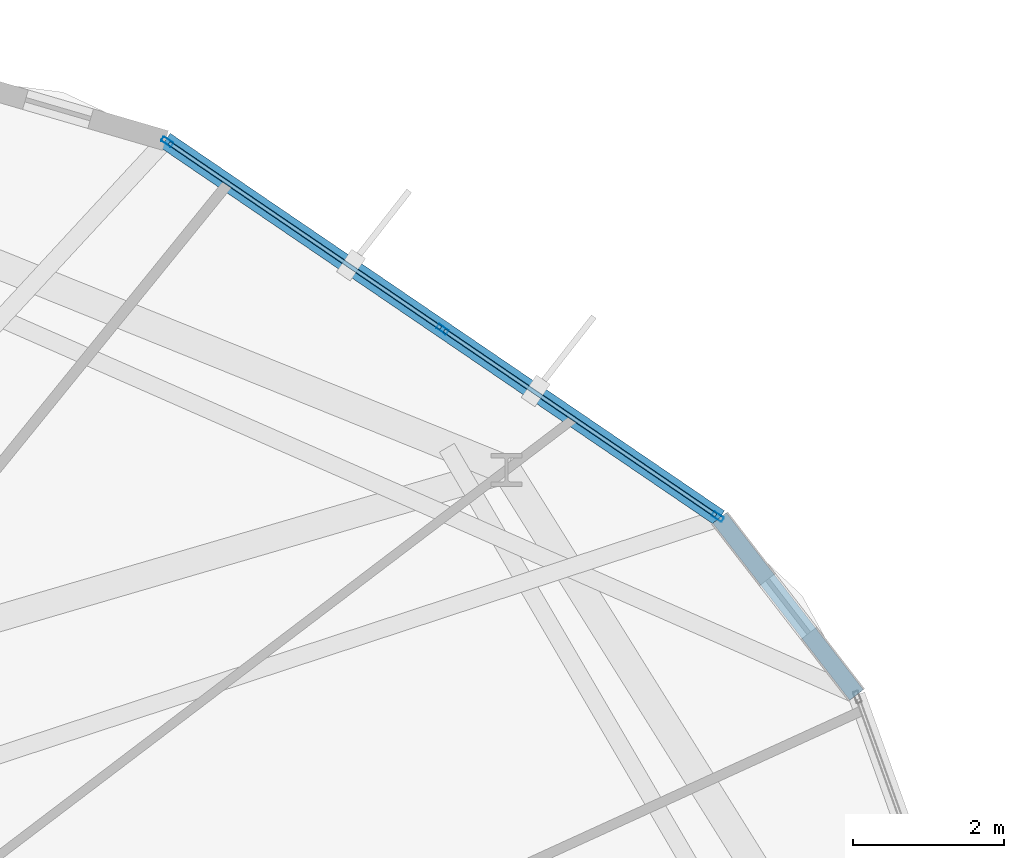
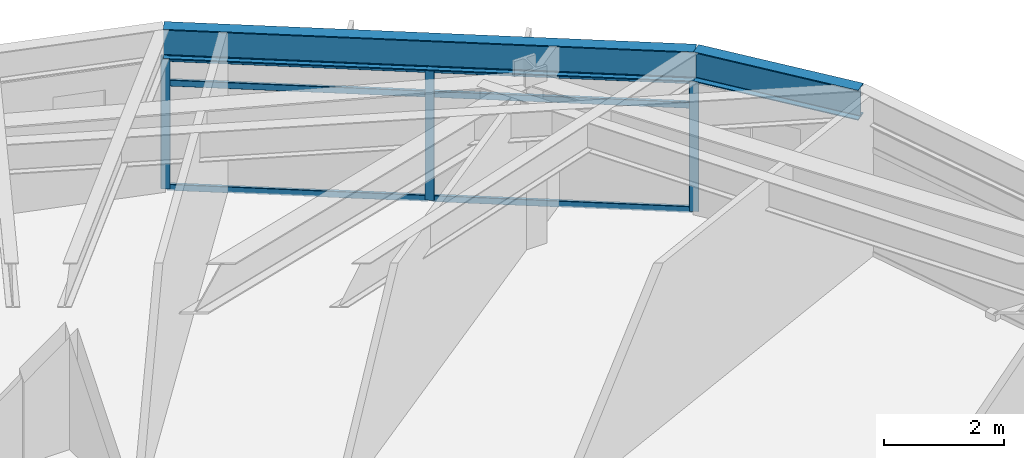
# One storey, part 16 of 23: 9 members, 2 beams, 1 element without a shape of its own.
"""IFC4 building model written with IfcOpenShell, lengths in metres."""

from ifc_helpers import new_model, si_unit, direction, frame, origin, origin_2d, place, context, subcontext, project, spatial, hollow_rectangle, i_section, extrude, material, layer, layer_set, material_profile, profile_set, type_object, element, aggregate, save


model = new_model("IFC4")

# Units and contexts
model_context = context("Model", 3, precision=1e-05, world=origin(), true_north=direction((0.0, 1.0)))
body_context = subcontext(model_context, "Body", "Model", "MODEL_VIEW")
ifc_project = project(units=[si_unit("LENGTHUNIT", "METRE"), si_unit("AREAUNIT", "SQUARE_METRE"), si_unit("VOLUMEUNIT", "CUBIC_METRE"), si_unit("PLANEANGLEUNIT", "RADIAN"), si_unit("MASSUNIT", "GRAM", prefix="KILO")], contexts=[model_context])

# Site, building, storey
site_placement = place(None, origin())
site = spatial("IfcSite", under=ifc_project, at=site_placement, CompositionType="ELEMENT")
building_placement = place(site_placement, origin())
building = spatial("IfcBuilding", under=site, at=building_placement, Name="Soratama Intermodal Tower", CompositionType="ELEMENT")
storey_placement = place(building_placement, frame((0.0, 0.0, 171.39990234375)))
storey = spatial("IfcBuildingStorey", under=building, at=storey_placement, Name="L42", CompositionType="ELEMENT", Elevation=171.39990234375)

# Beams
ifc_material_1 = material(Name="Structural steel ASTM A992 Grade 50", Category="steel")
ifc_material_profile_1 = material_profile(ifc_material_1, i_section(OverallWidth=0.22900390625, OverallDepth=0.612060546875, WebThickness=0.011962890625, FlangeThickness=0.01953125, FilletRadius=0.012939453125, at=origin_2d()), Name="W24X84")
ifc_profile_set_1 = profile_set([ifc_material_profile_1], Name="Structural steel ASTM A992 Grade 50")
beam_type = type_object("IfcBeamType", Name="BM-SPN-W24X84", PredefinedType="SPANDREL", material=ifc_profile_set_1)
beam_1_placement = place(storey_placement, frame((59.072998046875, 37.76806640625, 2.994140625), z_axis=(-0.826489378595, 0.562952313318, 0.0), x_axis=(-0.562952313318, -0.826489378595, 0.0)))
element("IfcBeam", 1, at=beam_1_placement, inside=storey, type_object=beam_type, Name="BS-L42-F01", PredefinedType="SPANDREL", context=body_context, shape_type="SweptSolid", body=[
    extrude(i_section(OverallWidth=0.22900390625, OverallDepth=0.612060546875, WebThickness=0.011962890625, FlangeThickness=0.01953125, FilletRadius=0.012939453125, at=origin_2d()), origin(), (0.0, 0.0, 1.0), 8.886962890625),
])
beam_2_placement = place(storey_placement, frame((60.888916015625, 35.422119140625, 2.994140625), z_axis=(-0.612110117852, 0.790772535956, 0.0), x_axis=(-0.790772535956, -0.612110117852, 0.0)))
element("IfcBeam", 2, at=beam_2_placement, inside=storey, type_object=beam_type, Name="BS-L42-CRN10", PredefinedType="SPANDREL", context=body_context, shape_type="SweptSolid", body=[
    extrude(i_section(OverallWidth=0.22900390625, OverallDepth=0.612060546875, WebThickness=0.011962890625, FlangeThickness=0.01953125, FilletRadius=0.012939453125, at=origin_2d()), origin(), (0.0, 0.0, 1.0), 2.966552734375),
])

# Curtain wall, members
ifc_material_2 = material(Name="Double-glazed aluminium curtain wall", Category="aluminium")
ifc_layer = layer(ifc_material_2, 0.159912109375)
ifc_layer_set = layer_set([ifc_layer], Name="Double-glazed aluminium curtain wall")
curtain_wall_type = type_object("IfcCurtainWallType", Name="CW-SYS-4", PredefinedType="NOTDEFINED", material=ifc_layer_set)
curtain_wall_placement = place(storey_placement, origin())
curtain_wall = element("IfcCurtainWall", 3, at=curtain_wall_placement, inside=storey, type_object=curtain_wall_type, Name="L42 Faceted Curtain Wall F01", PredefinedType="NOTDEFINED")
ifc_material_3 = material(Name="Anodised aluminium AA 6063-T6", Category="aluminium")
ifc_material_profile_2 = material_profile(ifc_material_3, hollow_rectangle(XDim=0.070068359375, YDim=0.159912109375, WallThickness=0.0048828125, InnerFilletRadius=0.0048828125, OuterFilletRadius=0.010009765625, at=origin_2d()), Name="CWM160X70X5")
ifc_profile_set_2 = profile_set([ifc_material_profile_2], Name="Anodised aluminium AA 6063-T6")
member_type_1 = type_object("IfcMemberType", Name="MT-CWM-4", PredefinedType="MULLION", material=ifc_profile_set_2)
member_1_placement = place(storey_placement, frame((59.048095703125, 37.78515625, 0.0), z_axis=(0.0, 0.0, 1.0), x_axis=(-0.562951282142, -0.826490080966, 0.0)))
member_1 = element("IfcMember", 4, at=member_1_placement, type_object=member_type_1, Name="CW-4 mullion 1", PredefinedType="MULLION", context=body_context, shape_type="SweptSolid", body=[
    extrude(hollow_rectangle(XDim=0.070068359375, YDim=0.159912109375, WallThickness=0.0048828125, InnerFilletRadius=0.0048828125, OuterFilletRadius=0.010009765625, at=origin_2d()), origin(), (0.0, 0.0, 1.0), 2.67919921875),
])
member_2_placement = place(storey_placement, frame((55.400634765625, 40.26953125, 0.0), z_axis=(0.0, 0.0, 1.0), x_axis=(-0.562951282142, -0.826490080966, 0.0)))
member_2 = element("IfcMember", 5, at=member_2_placement, type_object=member_type_1, Name="CW-4 mullion 2", PredefinedType="MULLION", context=body_context, shape_type="SweptSolid", body=[
    extrude(hollow_rectangle(XDim=0.070068359375, YDim=0.159912109375, WallThickness=0.0048828125, InnerFilletRadius=0.0048828125, OuterFilletRadius=0.010009765625, at=origin_2d()), origin(), (0.0, 0.0, 1.0), 2.67919921875),
])
member_3_placement = place(storey_placement, frame((51.7529296875, 42.754150390625, 0.0), z_axis=(0.0, 0.0, 1.0), x_axis=(-0.562951282142, -0.826490080966, 0.0)))
member_3 = element("IfcMember", 6, at=member_3_placement, type_object=member_type_1, Name="CW-4 mullion 3", PredefinedType="MULLION", context=body_context, shape_type="SweptSolid", body=[
    extrude(hollow_rectangle(XDim=0.070068359375, YDim=0.159912109375, WallThickness=0.0048828125, InnerFilletRadius=0.0048828125, OuterFilletRadius=0.010009765625, at=origin_2d()), origin(), (0.0, 0.0, 1.0), 2.67919921875),
])
ifc_material_4 = material(Name="Anodised aluminium AA 6063-T6", Category="aluminium")
ifc_material_profile_3 = material_profile(ifc_material_4, hollow_rectangle(XDim=0.06005859375, YDim=0.1298828125, WallThickness=0.0048828125, InnerFilletRadius=0.0048828125, OuterFilletRadius=0.010009765625, at=origin_2d()), Name="CWT130X60X5")
ifc_profile_set_3 = profile_set([ifc_material_profile_3], Name="Anodised aluminium AA 6063-T6")
member_type_2 = type_object("IfcMemberType", Name="TT-CWT-2", PredefinedType="USERDEFINED", material=ifc_profile_set_3)
member_4_placement = place(storey_placement, frame((59.0234375, 37.802001953125, 0.030029296875), z_axis=(-0.826504873335, 0.562929564292, 0.0), x_axis=(-0.562929564292, -0.826504873335, 0.0)))
member_4 = element("IfcMember", 7, at=member_4_placement, type_object=member_type_2, Name="CW-4 transom 1.1", ObjectType="TRANSOM", PredefinedType="USERDEFINED", context=body_context, shape_type="SweptSolid", body=[
    extrude(hollow_rectangle(XDim=0.06005859375, YDim=0.1298828125, WallThickness=0.0048828125, InnerFilletRadius=0.0048828125, OuterFilletRadius=0.010009765625, at=origin_2d()), origin(), (0.0, 0.0, 1.0), 4.353515625),
])
member_5_placement = place(storey_placement, frame((59.0234375, 37.802001953125, 2.150146484375), z_axis=(-0.826504873335, 0.562929564292, 0.0), x_axis=(-0.562929564292, -0.826504873335, 0.0)))
member_5 = element("IfcMember", 8, at=member_5_placement, type_object=member_type_2, Name="CW-4 transom 1.2", ObjectType="TRANSOM", PredefinedType="USERDEFINED", context=body_context, shape_type="SweptSolid", body=[
    extrude(hollow_rectangle(XDim=0.06005859375, YDim=0.1298828125, WallThickness=0.0048828125, InnerFilletRadius=0.0048828125, OuterFilletRadius=0.010009765625, at=origin_2d()), origin(), (0.0, 0.0, 1.0), 4.353515625),
])
member_6_placement = place(storey_placement, frame((59.0234375, 37.802001953125, 2.649169921875), z_axis=(-0.826504873335, 0.562929564292, 0.0), x_axis=(-0.562929564292, -0.826504873335, 0.0)))
member_6 = element("IfcMember", 9, at=member_6_placement, type_object=member_type_2, Name="CW-4 transom 1.3", ObjectType="TRANSOM", PredefinedType="USERDEFINED", context=body_context, shape_type="SweptSolid", body=[
    extrude(hollow_rectangle(XDim=0.06005859375, YDim=0.1298828125, WallThickness=0.0048828125, InnerFilletRadius=0.0048828125, OuterFilletRadius=0.010009765625, at=origin_2d()), origin(), (0.0, 0.0, 1.0), 4.353515625),
])
member_7_placement = place(storey_placement, frame((55.375732421875, 40.286376953125, 0.030029296875), z_axis=(-0.826461007112, 0.562993964199, 0.0), x_axis=(-0.562993964199, -0.826461007112, 0.0)))
member_7 = element("IfcMember", 10, at=member_7_placement, type_object=member_type_2, Name="CW-4 transom 2.1", ObjectType="TRANSOM", PredefinedType="USERDEFINED", context=body_context, shape_type="SweptSolid", body=[
    extrude(hollow_rectangle(XDim=0.06005859375, YDim=0.1298828125, WallThickness=0.0048828125, InnerFilletRadius=0.0048828125, OuterFilletRadius=0.010009765625, at=origin_2d()), origin(), (0.0, 0.0, 1.0), 4.353271484375),
])
member_8_placement = place(storey_placement, frame((55.375732421875, 40.286376953125, 2.150146484375), z_axis=(-0.826461007112, 0.562993964199, 0.0), x_axis=(-0.562993964199, -0.826461007112, 0.0)))
member_8 = element("IfcMember", 11, at=member_8_placement, type_object=member_type_2, Name="CW-4 transom 2.2", ObjectType="TRANSOM", PredefinedType="USERDEFINED", context=body_context, shape_type="SweptSolid", body=[
    extrude(hollow_rectangle(XDim=0.06005859375, YDim=0.1298828125, WallThickness=0.0048828125, InnerFilletRadius=0.0048828125, OuterFilletRadius=0.010009765625, at=origin_2d()), origin(), (0.0, 0.0, 1.0), 4.353271484375),
])
member_9_placement = place(storey_placement, frame((55.375732421875, 40.286376953125, 2.649169921875), z_axis=(-0.826461007112, 0.562993964199, 0.0), x_axis=(-0.562993964199, -0.826461007112, 0.0)))
member_9 = element("IfcMember", 12, at=member_9_placement, type_object=member_type_2, Name="CW-4 transom 2.3", ObjectType="TRANSOM", PredefinedType="USERDEFINED", context=body_context, shape_type="SweptSolid", body=[
    extrude(hollow_rectangle(XDim=0.06005859375, YDim=0.1298828125, WallThickness=0.0048828125, InnerFilletRadius=0.0048828125, OuterFilletRadius=0.010009765625, at=origin_2d()), origin(), (0.0, 0.0, 1.0), 4.353271484375),
])
aggregate(curtain_wall, [member_1, member_2, member_3, member_4, member_5, member_6, member_7, member_8, member_9])

save(model, "model.ifc")
